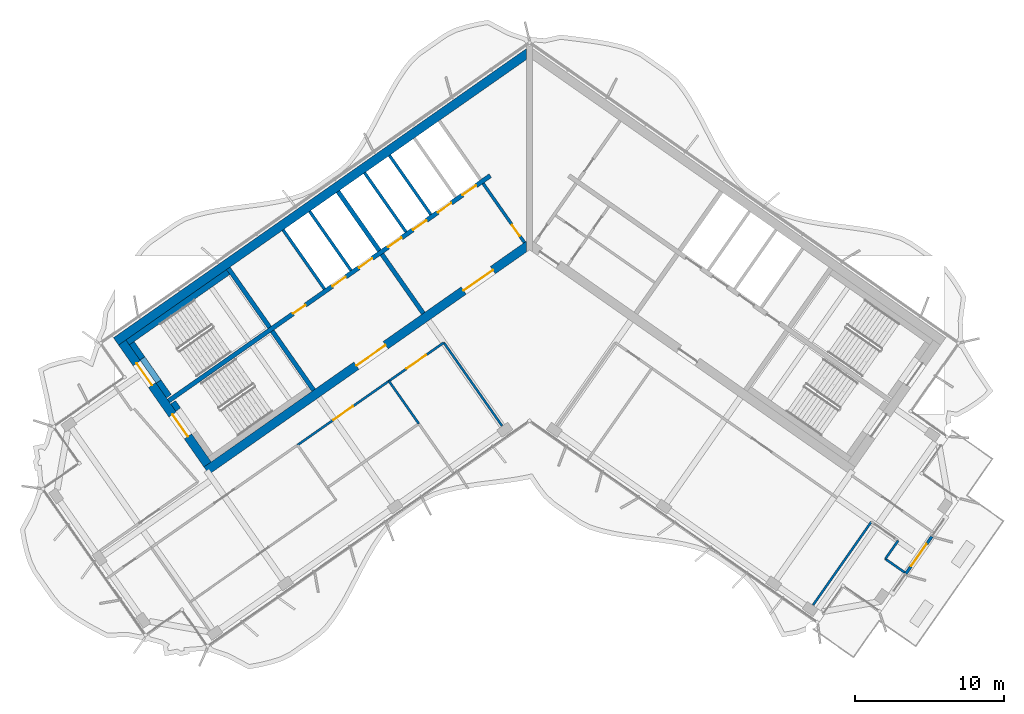
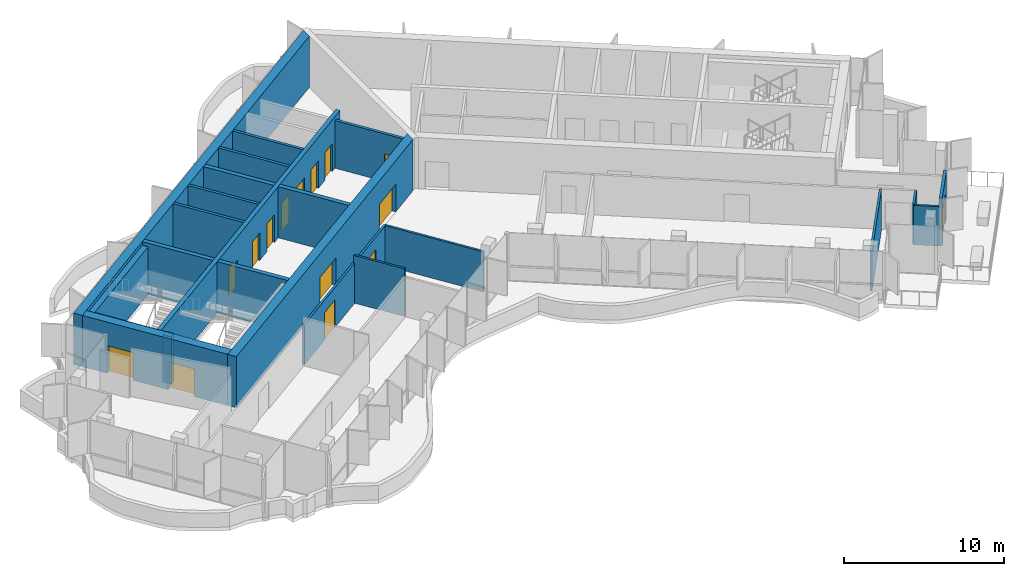
# One storey, part 9 of 18: 26 walls, 15 doors, 15 openings.
"""IFC4 building model written with IfcOpenShell, lengths in metres."""

from ifc_helpers import new_model, si_unit, direction, frame, frame_2d, origin, place, context, subcontext, project, spatial, polyline, rectangle, outline, extrude, material, layer, layer_set, type_object, element, fill, save


model = new_model("IFC4")

# Units and contexts
model_context = context("Model", 3, precision=1e-05, world=origin(), true_north=direction((0.0, 1.0)))
body_context = subcontext(model_context, "Body", "Model", "MODEL_VIEW")
ifc_project = project(units=[si_unit("LENGTHUNIT", "METRE"), si_unit("AREAUNIT", "SQUARE_METRE"), si_unit("VOLUMEUNIT", "CUBIC_METRE"), si_unit("PLANEANGLEUNIT", "RADIAN"), si_unit("MASSUNIT", "GRAM", prefix="KILO")], contexts=[model_context])

# Site, building, storey
site_placement = place(None, origin())
site = spatial("IfcSite", under=ifc_project, at=site_placement, CompositionType="ELEMENT")
building_placement = place(site_placement, origin())
building = spatial("IfcBuilding", under=site, at=building_placement, Name="Tel Ilan Convention Tower", CompositionType="ELEMENT")
storey_placement = place(building_placement, frame((0.0, 0.0, 272.199951171875)))
storey = spatial("IfcBuildingStorey", under=building, at=storey_placement, Name="L64", CompositionType="ELEMENT", Elevation=272.199951171875)

# Wall, opening, door
ifc_material_1 = material(Name="Concrete C30/37", Category="concrete")
ifc_layer_1 = layer(ifc_material_1, 0.199951171875)
ifc_layer_set_1 = layer_set([ifc_layer_1], Name="Core Service Room Wall 200 mm C30/37")
wall_type_1 = type_object("IfcWallType", Name="Core Service Room Wall 200 mm C30/37", PredefinedType="SOLIDWALL", material=ifc_layer_set_1)
wall_1_placement = place(storey_placement, frame((-0.343994140625, -0.729248046875, 0.0), z_axis=(0.0, 0.0, 1.0), x_axis=(-0.573560315113, 0.819163332265, 0.0)))
wall_1 = element("IfcWall", 1, at=wall_1_placement, inside=storey, type_object=wall_type_1, Name="L64 core wall apex-W", PredefinedType="SOLIDWALL", context=body_context, shape_type="SweptSolid", body=[
    extrude(rectangle(XDim=4.849853515625, YDim=0.199951171875, at=frame_2d((2.4248046875, 0.0))), origin(), (0.0, 0.0, 1.0), 3.6201171875),
])
opening_1_placement = place(wall_1_placement, frame((0.550048828125, 0.0, 0.0)))
opening_1 = element("IfcOpeningElement", 2, at=opening_1_placement, cuts=wall_1, Name="Opening CD4902", PredefinedType="OPENING", context=body_context, shape_type="SweptSolid", body=[
    extrude(rectangle(XDim=0.89990234375, YDim=2.10009765625, at=frame_2d((0.449951171875, 1.050048828125))), frame((0.0, 0.10986328125, 0.0), z_axis=(0.0, -1.0, 0.0), x_axis=(1.0, 0.0, 0.0)), (0.0, 0.0, 1.0), 0.219970703125),
])
ifc_material_2 = material(Name="Galvanised Steel Door Leaf", Category="steel")
door_type_1 = type_object("IfcDoorType", Name="Service Room Door 900 x 2100 FD60", OperationType="NOTDEFINED", PredefinedType="DOOR", material=ifc_material_2)
door_1_placement = place(opening_1_placement, origin())
door_1 = element("IfcDoor", 3, at=door_1_placement, inside=storey, type_object=door_type_1, Name="Electrical Room door", OperationType="SINGLE_SWING_RIGHT", OverallHeight=2.10009765625, OverallWidth=0.89990234375, PredefinedType="DOOR", context=body_context, shape_type="SweptSolid", body=[
    extrude(rectangle(XDim=0.89990234375, YDim=2.10009765625, at=frame_2d((0.449951171875, 1.050048828125))), frame((0.0, 0.02490234375, 0.0), z_axis=(0.0, -1.0, 0.0), x_axis=(1.0, 0.0, 0.0)), (0.0, 0.0, 1.0), 0.050048828125),
])
fill(opening_1, door_1)

# Walls
ifc_material_3 = material(Name="Concrete C40/50", Category="concrete")
ifc_layer_2 = layer(ifc_material_3, 0.300048828125)
ifc_layer_set_2 = layer_set([ifc_layer_2], Name="Core Shear Wall 300 mm C40/50")
wall_type_2 = type_object("IfcWallType", Name="Core Shear Wall 300 mm C40/50", PredefinedType="SHEAR", material=ifc_layer_set_2)
wall_2_placement = place(storey_placement, frame((-7.142822265625, -5.48974609375, 0.0), z_axis=(0.0, 0.0, 1.0), x_axis=(-0.573617744349, 0.819123118565, 0.0)))
element("IfcWall", 4, at=wall_2_placement, inside=storey, type_object=wall_type_2, Name="L64 core wall W-cross1-1", PredefinedType="SHEAR", context=body_context, shape_type="SweptSolid", body=[
    extrude(outline(polyline([(4.85009765625, 0.14990234375), (0.0, 0.150146484375), (0.0, -0.14990234375), (4.85009765625, -0.150146484375), (4.85009765625, 0.14990234375)])), origin(), (0.0, 0.0, 1.0), 3.900146484375),
])
wall_3_placement = place(storey_placement, frame((-10.096923828125, -1.271240234375, 0.0), z_axis=(0.0, 0.0, 1.0), x_axis=(-0.573560315113, 0.819163332265, 0.0)))
element("IfcWall", 5, at=wall_3_placement, inside=storey, type_object=wall_type_2, Name="L64 core wall W-cross1-2", PredefinedType="SHEAR", context=body_context, shape_type="SweptSolid", body=[
    extrude(outline(polyline([(4.849853515625, -0.14990234375), (4.849853515625, 0.150146484375), (0.0, 0.14990234375), (0.0, -0.150146484375), (4.849853515625, -0.14990234375)])), origin(), (0.0, 0.0, 1.0), 3.900146484375),
])
wall_4_placement = place(storey_placement, frame((-14.515380859375, -10.652099609375, 0.0), z_axis=(0.0, 0.0, 1.0), x_axis=(-0.573560315113, 0.819163332265, 0.0)))
element("IfcWall", 6, at=wall_4_placement, inside=storey, type_object=wall_type_2, Name="L64 core wall W-cross2-1", PredefinedType="SHEAR", context=body_context, shape_type="SweptSolid", body=[
    extrude(outline(polyline([(4.85009765625, 0.14990234375), (0.0, 0.14990234375), (0.0, -0.150146484375), (4.85009765625, -0.14990234375), (4.85009765625, 0.14990234375)])), origin(), (0.0, 0.0, 1.0), 3.900146484375),
])
wall_5_placement = place(storey_placement, frame((-17.46923828125, -6.433349609375, 0.0), z_axis=(0.0, 0.0, 1.0), x_axis=(-0.573594092424, 0.81913968109, 0.0)))
element("IfcWall", 7, at=wall_5_placement, inside=storey, type_object=wall_type_2, Name="L64 core wall W-cross2-2", PredefinedType="SHEAR", context=body_context, shape_type="SweptSolid", body=[
    extrude(outline(polyline([(4.849853515625, -0.150146484375), (4.849853515625, 0.14990234375), (0.0, 0.14990234375), (0.0, -0.14990234375), (4.849853515625, -0.150146484375)])), origin(), (0.0, 0.0, 1.0), 3.900146484375),
])

# Wall, openings, doors
wall_6_placement = place(storey_placement, frame((-2.638427734375, 3.76806640625, 0.0), z_axis=(0.0, 0.0, 1.0), x_axis=(-0.819155014212, -0.573572194837, 0.0)))
wall_6 = element("IfcWall", 8, at=wall_6_placement, inside=storey, type_object=wall_type_2, Name="L64 core wall W-spine", PredefinedType="SHEAR", context=body_context, shape_type="SweptSolid", body=[
    extrude(outline(polyline([(26.39990234375, 0.150146484375), (0.0, 0.14990234375), (0.0, -0.150146484375), (26.39990234375, -0.14990234375), (26.39990234375, 0.150146484375)])), origin(), (0.0, 0.0, 1.0), 3.900146484375),
])
opening_2_placement = place(wall_6_placement, frame((1.168701171875, 0.0, 0.0)))
opening_2 = element("IfcOpeningElement", 9, at=opening_2_placement, cuts=wall_6, Name="Opening LD4904", PredefinedType="OPENING", context=body_context, shape_type="SweptSolid", body=[
    extrude(rectangle(XDim=1.10009765625, YDim=2.10009765625, at=frame_2d((0.550048828125, 1.050048828125))), frame((0.0, 0.159912109375, 0.0), z_axis=(0.0, -1.0, 0.0), x_axis=(1.0, 0.0, 0.0)), (0.0, 0.0, 1.0), 0.320068359375),
])
opening_3_placement = place(wall_6_placement, frame((3.206298828125, 0.0, 0.0)))
opening_3 = element("IfcOpeningElement", 10, at=opening_3_placement, cuts=wall_6, Name="Opening LD4905", PredefinedType="OPENING", context=body_context, shape_type="SweptSolid", body=[
    extrude(rectangle(XDim=1.10009765625, YDim=2.10009765625, at=frame_2d((0.550048828125, 1.050048828125))), frame((0.0, 0.159912109375, 0.0), z_axis=(0.0, -1.0, 0.0), x_axis=(1.0, 0.0, 0.0)), (0.0, 0.0, 1.0), 0.320068359375),
])
opening_4_placement = place(wall_6_placement, frame((5.24365234375, 0.0, 0.0)))
opening_4 = element("IfcOpeningElement", 11, at=opening_4_placement, cuts=wall_6, Name="Opening LD4906", PredefinedType="OPENING", context=body_context, shape_type="SweptSolid", body=[
    extrude(rectangle(XDim=1.10009765625, YDim=2.10009765625, at=frame_2d((0.550048828125, 1.050048828125))), frame((0.0, 0.159912109375, 0.0), z_axis=(0.0, -1.0, 0.0), x_axis=(1.0, 0.0, 0.0)), (0.0, 0.0, 1.0), 0.320068359375),
])
opening_5_placement = place(wall_6_placement, frame((7.28125, 0.0, 0.0)))
opening_5 = element("IfcOpeningElement", 12, at=opening_5_placement, cuts=wall_6, Name="Opening LD4907", PredefinedType="OPENING", context=body_context, shape_type="SweptSolid", body=[
    extrude(rectangle(XDim=1.10009765625, YDim=2.10009765625, at=frame_2d((0.550048828125, 1.050048828125))), frame((0.0, 0.159912109375, 0.0), z_axis=(0.0, -1.0, 0.0), x_axis=(1.0, 0.0, 0.0)), (0.0, 0.0, 1.0), 0.320068359375),
])
opening_6_placement = place(wall_6_placement, frame((9.6875, 0.0, 0.0)))
opening_6 = element("IfcOpeningElement", 13, at=opening_6_placement, cuts=wall_6, Name="Opening LD4908", PredefinedType="OPENING", context=body_context, shape_type="SweptSolid", body=[
    extrude(rectangle(XDim=1.10009765625, YDim=2.10009765625, at=frame_2d((0.550048828125, 1.050048828125))), frame((0.0, 0.159912109375, 0.0), z_axis=(0.0, -1.0, 0.0), x_axis=(1.0, 0.0, 0.0)), (0.0, 0.0, 1.0), 0.320068359375),
])
opening_7_placement = place(wall_6_placement, frame((11.862548828125, 0.0, 0.0)))
opening_7 = element("IfcOpeningElement", 14, at=opening_7_placement, cuts=wall_6, Name="Opening LD4909", PredefinedType="OPENING", context=body_context, shape_type="SweptSolid", body=[
    extrude(rectangle(XDim=1.10009765625, YDim=2.10009765625, at=frame_2d((0.550048828125, 1.050048828125))), frame((0.0, 0.159912109375, 0.0), z_axis=(0.0, -1.0, 0.0), x_axis=(1.0, 0.0, 0.0)), (0.0, 0.0, 1.0), 0.320068359375),
])
opening_8_placement = place(wall_6_placement, frame((15.175048828125, 0.0, 0.0)))
opening_8 = element("IfcOpeningElement", 15, at=opening_8_placement, cuts=wall_6, Name="Opening CD4909", PredefinedType="OPENING", context=body_context, shape_type="SweptSolid", body=[
    extrude(rectangle(XDim=1.0, YDim=2.10009765625, at=frame_2d((0.5, 1.050048828125))), frame((0.0, 0.159912109375, 0.0), z_axis=(0.0, -1.0, 0.0), x_axis=(1.0, 0.0, 0.0)), (0.0, 0.0, 1.0), 0.320068359375),
])
ifc_material_4 = material(Name="Stainless Steel Sliding Door Leaf", Category="steel")
door_type_2 = type_object("IfcDoorType", Name="Lift Landing Door 1100 x 2100 FD120", OperationType="NOTDEFINED", PredefinedType="DOOR", material=ifc_material_4)
door_2_placement = place(opening_2_placement, origin())
door_2 = element("IfcDoor", 16, at=door_2_placement, inside=storey, type_object=door_type_2, Name="Lift HR1 landing door", OperationType="SLIDING_TO_LEFT", OverallHeight=2.10009765625, OverallWidth=1.10009765625, PredefinedType="DOOR", context=body_context, shape_type="SweptSolid", body=[
    extrude(rectangle(XDim=1.10009765625, YDim=2.10009765625, at=frame_2d((0.550048828125, 1.050048828125))), frame((0.0, 0.02490234375, 0.0), z_axis=(0.0, -1.0, 0.0), x_axis=(1.0, 0.0, 0.0)), (0.0, 0.0, 1.0), 0.050048828125),
])
fill(opening_2, door_2)
door_3_placement = place(opening_3_placement, origin())
door_3 = element("IfcDoor", 17, at=door_3_placement, inside=storey, type_object=door_type_2, Name="Lift HR2 landing door", OperationType="SLIDING_TO_RIGHT", OverallHeight=2.10009765625, OverallWidth=1.10009765625, PredefinedType="DOOR", context=body_context, shape_type="SweptSolid", body=[
    extrude(rectangle(XDim=1.10009765625, YDim=2.10009765625, at=frame_2d((0.550048828125, 1.050048828125))), frame((0.0, 0.02490234375, 0.0), z_axis=(0.0, -1.0, 0.0), x_axis=(1.0, 0.0, 0.0)), (0.0, 0.0, 1.0), 0.050048828125),
])
fill(opening_3, door_3)
door_4_placement = place(opening_4_placement, origin())
door_4 = element("IfcDoor", 18, at=door_4_placement, inside=storey, type_object=door_type_2, Name="Lift HR3 landing door", OperationType="SLIDING_TO_LEFT", OverallHeight=2.10009765625, OverallWidth=1.10009765625, PredefinedType="DOOR", context=body_context, shape_type="SweptSolid", body=[
    extrude(rectangle(XDim=1.10009765625, YDim=2.10009765625, at=frame_2d((0.550048828125, 1.050048828125))), frame((0.0, 0.02490234375, 0.0), z_axis=(0.0, -1.0, 0.0), x_axis=(1.0, 0.0, 0.0)), (0.0, 0.0, 1.0), 0.050048828125),
])
fill(opening_4, door_4)
door_5_placement = place(opening_5_placement, origin())
door_5 = element("IfcDoor", 19, at=door_5_placement, inside=storey, type_object=door_type_2, Name="Lift HR4 landing door", OperationType="SLIDING_TO_RIGHT", OverallHeight=2.10009765625, OverallWidth=1.10009765625, PredefinedType="DOOR", context=body_context, shape_type="SweptSolid", body=[
    extrude(rectangle(XDim=1.10009765625, YDim=2.10009765625, at=frame_2d((0.550048828125, 1.050048828125))), frame((0.0, 0.02490234375, 0.0), z_axis=(0.0, -1.0, 0.0), x_axis=(1.0, 0.0, 0.0)), (0.0, 0.0, 1.0), 0.050048828125),
])
fill(opening_5, door_5)
door_6_placement = place(opening_6_placement, origin())
door_6 = element("IfcDoor", 20, at=door_6_placement, inside=storey, type_object=door_type_2, Name="Lift HR5 landing door", OperationType="SLIDING_TO_LEFT", OverallHeight=2.10009765625, OverallWidth=1.10009765625, PredefinedType="DOOR", context=body_context, shape_type="SweptSolid", body=[
    extrude(rectangle(XDim=1.10009765625, YDim=2.10009765625, at=frame_2d((0.550048828125, 1.050048828125))), frame((0.0, 0.02490234375, 0.0), z_axis=(0.0, -1.0, 0.0), x_axis=(1.0, 0.0, 0.0)), (0.0, 0.0, 1.0), 0.050048828125),
])
fill(opening_6, door_6)
door_7_placement = place(opening_7_placement, origin())
door_7 = element("IfcDoor", 21, at=door_7_placement, inside=storey, type_object=door_type_2, Name="Lift HR6 landing door", OperationType="SLIDING_TO_RIGHT", OverallHeight=2.10009765625, OverallWidth=1.10009765625, PredefinedType="DOOR", context=body_context, shape_type="SweptSolid", body=[
    extrude(rectangle(XDim=1.10009765625, YDim=2.10009765625, at=frame_2d((0.550048828125, 1.050048828125))), frame((0.0, 0.02490234375, 0.0), z_axis=(0.0, -1.0, 0.0), x_axis=(1.0, 0.0, 0.0)), (0.0, 0.0, 1.0), 0.050048828125),
])
fill(opening_7, door_7)
ifc_material_5 = material(Name="Galvanised Steel Door Leaf", Category="steel")
door_type_3 = type_object("IfcDoorType", Name="Service Room Door 1000 x 2100 FD60", OperationType="NOTDEFINED", PredefinedType="DOOR", material=ifc_material_5)
door_8_placement = place(opening_8_placement, origin())
door_8 = element("IfcDoor", 22, at=door_8_placement, inside=storey, type_object=door_type_3, Name="Plant Room door", OperationType="SINGLE_SWING_RIGHT", OverallHeight=2.10009765625, OverallWidth=1.0, PredefinedType="DOOR", context=body_context, shape_type="SweptSolid", body=[
    extrude(rectangle(XDim=1.0, YDim=2.10009765625, at=frame_2d((0.5, 1.050048828125))), frame((0.0, 0.02490234375, 0.0), z_axis=(0.0, -1.0, 0.0), x_axis=(1.0, 0.0, 0.0)), (0.0, 0.0, 1.0), 0.050048828125),
])
fill(opening_8, door_8)

# Wall
ifc_material_6 = material(Name="Concrete C40/50", Category="concrete")
ifc_layer_3 = layer(ifc_material_6, 0.60009765625)
ifc_layer_set_3 = layer_set([ifc_layer_3], Name="Core Shear Wall 600 mm C40/50")
wall_type_3 = type_object("IfcWallType", Name="Core Shear Wall 600 mm C40/50", PredefinedType="SHEAR", material=ifc_layer_set_3)
wall_7_placement = place(storey_placement, frame((-0.02783203125, 12.066162109375, 0.0), z_axis=(0.0, 0.0, 1.0), x_axis=(-0.819151382952, -0.573577380837, 0.0)))
element("IfcWall", 23, at=wall_7_placement, inside=storey, type_object=wall_type_3, Name="L64 core wall W-back", PredefinedType="SHEAR", context=body_context, shape_type="SweptSolid", body=[
    extrude(outline(polyline([(33.89794921875, 0.300048828125), (0.420166015625, 0.300048828125), (0.0, -0.300048828125), (33.898193359375, -0.300048828125), (33.89794921875, 0.300048828125)])), origin(), (0.0, 0.0, 1.0), 3.900146484375),
])

# Wall, openings, doors
wall_8_placement = place(storey_placement, frame((-0.02783203125, -0.8740234375, 0.0), z_axis=(0.0, 0.0, 1.0), x_axis=(-0.819150035022, -0.573579305871, 0.0)))
wall_8 = element("IfcWall", 24, at=wall_8_placement, inside=storey, type_object=wall_type_3, Name="L64 core wall W-front", PredefinedType="SHEAR", context=body_context, shape_type="SweptSolid", body=[
    extrude(outline(polyline([(26.475830078125, 0.2998046875), (0.420166015625, 0.300048828125), (0.000244140625, -0.300048828125), (26.475830078125, -0.300048828125), (26.475830078125, 0.2998046875)])), origin(), (0.0, 0.0, 1.0), 3.900146484375),
])
opening_9_placement = place(wall_8_placement, frame((2.975830078125, 0.0, 0.0)))
opening_9 = element("IfcOpeningElement", 25, at=opening_9_placement, cuts=wall_8, Name="Opening CD4906", PredefinedType="OPENING", context=body_context, shape_type="SweptSolid", body=[
    extrude(rectangle(XDim=2.39990234375, YDim=2.10009765625, at=frame_2d((1.199951171875, 1.050048828125))), frame((0.0, 0.31005859375, 0.0), z_axis=(0.0, -1.0, 0.0), x_axis=(1.0, 0.0, 0.0)), (0.0, 0.0, 1.0), 0.6201171875),
])
opening_10_placement = place(wall_8_placement, frame((11.77587890625, 0.0, 0.0)))
opening_10 = element("IfcOpeningElement", 26, at=opening_10_placement, cuts=wall_8, Name="Opening CD4907", PredefinedType="OPENING", context=body_context, shape_type="SweptSolid", body=[
    extrude(rectangle(XDim=2.39990234375, YDim=2.10009765625, at=frame_2d((1.199951171875, 1.050048828125))), frame((0.0, 0.31005859375, 0.0), z_axis=(0.0, -1.0, 0.0), x_axis=(1.0, 0.0, 0.0)), (0.0, 0.0, 1.0), 0.6201171875),
])
ifc_material_7 = material(Name="Glazed Aluminium Door Leaf", Category="aluminium")
door_type_4 = type_object("IfcDoorType", Name="Lobby Opening Door 2400 x 2100 FD60S", OperationType="NOTDEFINED", PredefinedType="DOOR", material=ifc_material_7)
door_9_placement = place(opening_9_placement, origin())
door_9 = element("IfcDoor", 27, at=door_9_placement, inside=storey, type_object=door_type_4, Name="Lift Lobby HR1-HR4 opening", OperationType="DOUBLE_DOOR_SINGLE_SWING", OverallHeight=2.10009765625, OverallWidth=2.39990234375, PredefinedType="DOOR", context=body_context, shape_type="SweptSolid", body=[
    extrude(rectangle(XDim=2.39990234375, YDim=2.10009765625, at=frame_2d((1.199951171875, 1.050048828125))), frame((0.0, 0.02490234375, 0.0), z_axis=(0.0, -1.0, 0.0), x_axis=(1.0, 0.0, 0.0)), (0.0, 0.0, 1.0), 0.050048828125),
])
fill(opening_9, door_9)
door_10_placement = place(opening_10_placement, origin())
door_10 = element("IfcDoor", 28, at=door_10_placement, inside=storey, type_object=door_type_4, Name="Lift Lobby HR5-HR6 opening", OperationType="DOUBLE_DOOR_SINGLE_SWING", OverallHeight=2.10009765625, OverallWidth=2.39990234375, PredefinedType="DOOR", context=body_context, shape_type="SweptSolid", body=[
    extrude(rectangle(XDim=2.39990234375, YDim=2.10009765625, at=frame_2d((1.199951171875, 1.050048828125))), frame((0.0, 0.02490234375, 0.0), z_axis=(0.0, -1.0, 0.0), x_axis=(1.0, 0.0, 0.0)), (0.0, 0.0, 1.0), 0.050048828125),
])
fill(opening_10, door_10)

wall_9_placement = place(storey_placement, frame((-21.641845703125, -15.64208984375, 0.0), z_axis=(0.0, 0.0, 1.0), x_axis=(-0.573586866468, 0.819144740944, 0.0)))
wall_9 = element("IfcWall", 29, at=wall_9_placement, inside=storey, type_object=wall_type_3, Name="L64 core wall W-end", PredefinedType="SHEAR", context=body_context, shape_type="SweptSolid", body=[
    extrude(outline(polyline([(0.0, 0.300048828125), (0.0, -0.2998046875), (10.0, -0.300048828125), (10.0, 0.300048828125), (0.0, 0.300048828125)])), origin(), (0.0, 0.0, 1.0), 3.900146484375),
])
opening_11_placement = place(wall_9_placement, frame((6.5, 0.0, 0.0)))
opening_11 = element("IfcOpeningElement", 30, at=opening_11_placement, cuts=wall_9, Name="Opening SD4901", PredefinedType="OPENING", context=body_context, shape_type="SweptSolid", body=[
    extrude(rectangle(XDim=1.800048828125, YDim=2.10009765625, at=frame_2d((0.89990234375, 1.050048828125))), frame((0.0, 0.31005859375, 0.0), z_axis=(0.0, -1.0, 0.0), x_axis=(1.0, 0.0, 0.0)), (0.0, 0.0, 1.0), 0.6201171875),
])
opening_12_placement = place(wall_9_placement, frame((2.300048828125, 0.0, 0.0)))
opening_12 = element("IfcOpeningElement", 31, at=opening_12_placement, cuts=wall_9, Name="Opening SD4902", PredefinedType="OPENING", context=body_context, shape_type="SweptSolid", body=[
    extrude(rectangle(XDim=1.800048828125, YDim=2.10009765625, at=frame_2d((0.89990234375, 1.050048828125))), frame((0.0, 0.31005859375, 0.0), z_axis=(0.0, -1.0, 0.0), x_axis=(1.0, 0.0, 0.0)), (0.0, 0.0, 1.0), 0.6201171875),
])
ifc_material_8 = material(Name="Galvanised Steel Door Leaf", Category="steel")
door_type_5 = type_object("IfcDoorType", Name="Stair Fire Door 1800 x 2100 FD60S", OperationType="NOTDEFINED", PredefinedType="DOOR", material=ifc_material_8)
door_11_placement = place(opening_11_placement, origin())
door_11 = element("IfcDoor", 32, at=door_11_placement, inside=storey, type_object=door_type_5, Name="Stair S1 door", OperationType="DOUBLE_DOOR_SINGLE_SWING", OverallHeight=2.10009765625, OverallWidth=1.800048828125, PredefinedType="DOOR", context=body_context, shape_type="SweptSolid", body=[
    extrude(rectangle(XDim=1.800048828125, YDim=2.10009765625, at=frame_2d((0.89990234375, 1.050048828125))), frame((0.0, 0.02490234375, 0.0), z_axis=(0.0, -1.0, 0.0), x_axis=(1.0, 0.0, 0.0)), (0.0, 0.0, 1.0), 0.050048828125),
])
fill(opening_11, door_11)
door_12_placement = place(opening_12_placement, origin())
door_12 = element("IfcDoor", 33, at=door_12_placement, inside=storey, type_object=door_type_5, Name="Stair S2 door", OperationType="DOUBLE_DOOR_SINGLE_SWING", OverallHeight=2.10009765625, OverallWidth=1.800048828125, PredefinedType="DOOR", context=body_context, shape_type="SweptSolid", body=[
    extrude(rectangle(XDim=1.800048828125, YDim=2.10009765625, at=frame_2d((0.89990234375, 1.050048828125))), frame((0.0, 0.02490234375, 0.0), z_axis=(0.0, -1.0, 0.0), x_axis=(1.0, 0.0, 0.0)), (0.0, 0.0, 1.0), 0.050048828125),
])
fill(opening_12, door_12)

# Walls
ifc_material_9 = material(Name="Plasterboard on Steel Studs", Category="steel")
ifc_layer_4 = layer(ifc_material_9, 0.14990234375)
ifc_layer_set_4 = layer_set([ifc_layer_4], Name="Fire-rated Partition 150 EI 60")
wall_type_4 = type_object("IfcWallType", Name="Fire-rated Partition 150 EI 60", PredefinedType="PARTITIONING", material=ifc_layer_set_4)
wall_10_placement = place(storey_placement, frame((25.220947265625, -22.9091796875, 0.0), z_axis=(0.0, 0.0, 1.0), x_axis=(-0.819131543282, 0.57360571371, 0.0)))
element("IfcWall", 34, at=wall_10_placement, inside=storey, type_object=wall_type_4, Name="Partition 004", PredefinedType="PARTITIONING", context=body_context, shape_type="SweptSolid", body=[
    extrude(rectangle(XDim=1.599853515625, YDim=0.14990234375, at=frame_2d((0.7998046875, 0.0))), origin(), (0.0, 0.0, 1.0), 3.0),
])
wall_11_placement = place(storey_placement, frame((23.910400390625, -21.991455078125, 0.0), z_axis=(0.0, 0.0, 1.0), x_axis=(0.573560650686, 0.819163097304, 0.0)))
element("IfcWall", 35, at=wall_11_placement, inside=storey, type_object=wall_type_4, Name="Partition 005", PredefinedType="PARTITIONING", context=body_context, shape_type="SweptSolid", body=[
    extrude(rectangle(XDim=1.5, YDim=0.14990234375, at=frame_2d((0.75, 0.0))), origin(), (0.0, 0.0, 1.0), 3.050048828125),
])

# Wall, opening, door
wall_12_placement = place(storey_placement, frame((-5.766357421875, -7.455810546875, 0.0), z_axis=(0.0, 0.0, 1.0), x_axis=(-0.819142740634, -0.573589723117, 0.0)))
wall_12 = element("IfcWall", 36, at=wall_12_placement, inside=storey, type_object=wall_type_4, Name="Partition 008", PredefinedType="PARTITIONING", context=body_context, shape_type="SweptSolid", body=[
    extrude(rectangle(XDim=4.501953125, YDim=0.14990234375, at=frame_2d((2.2509765625, 0.0))), origin(), (0.0, 0.0, 1.0), 3.050048828125),
])
opening_13_placement = place(wall_12_placement, frame((1.450927734375, 0.0, 0.0)))
opening_13 = element("IfcOpeningElement", 37, at=opening_13_placement, cuts=wall_12, Name="Opening L64-001", PredefinedType="OPENING", context=body_context, shape_type="SweptSolid", body=[
    extrude(rectangle(XDim=1.60009765625, YDim=2.10009765625, at=frame_2d((0.800048828125, 1.050048828125))), frame((0.0, 0.0849609375, 0.0), z_axis=(0.0, -1.0, 0.0), x_axis=(1.0, 0.0, 0.0)), (0.0, 0.0, 1.0), 0.169921875),
])
ifc_material_10 = material(Name="Timber Door Leaf in Steel Frame", Category="steel")
door_type_6 = type_object("IfcDoorType", Name="Tenant Suite Entrance Fire Door 1600x2100", OperationType="NOTDEFINED", PredefinedType="DOOR", material=ifc_material_10)
door_13_placement = place(opening_13_placement, origin())
door_13 = element("IfcDoor", 38, at=door_13_placement, inside=storey, type_object=door_type_6, Name="Door L64-001", OperationType="DOUBLE_DOOR_SINGLE_SWING", OverallHeight=2.10009765625, OverallWidth=1.60009765625, PredefinedType="DOOR", context=body_context, shape_type="SweptSolid", body=[
    extrude(rectangle(XDim=1.60009765625, YDim=2.10009765625, at=frame_2d((0.800048828125, 1.050048828125))), frame((0.0, 0.02490234375, 0.0), z_axis=(0.0, -1.0, 0.0), x_axis=(1.0, 0.0, 0.0)), (0.0, 0.0, 1.0), 0.050048828125),
])
fill(opening_13, door_13)

wall_13_placement = place(storey_placement, frame((-9.450927734375, -10.035888671875, 0.0), z_axis=(0.0, 0.0, 1.0), x_axis=(-0.819164661457, -0.573558416746, 0.0)))
wall_13 = element("IfcWall", 39, at=wall_13_placement, inside=storey, type_object=wall_type_4, Name="Partition 009", PredefinedType="PARTITIONING", context=body_context, shape_type="SweptSolid", body=[
    extrude(rectangle(XDim=7.50390625, YDim=0.14990234375, at=frame_2d((3.751953125, 0.0))), origin(), (0.0, 0.0, 1.0), 3.050048828125),
])
opening_14_placement = place(wall_13_placement, frame((2.951904296875, 0.0, 0.0)))
opening_14 = element("IfcOpeningElement", 40, at=opening_14_placement, cuts=wall_13, Name="Opening L64-002", PredefinedType="OPENING", context=body_context, shape_type="SweptSolid", body=[
    extrude(rectangle(XDim=1.60009765625, YDim=2.10009765625, at=frame_2d((0.800048828125, 1.050048828125))), frame((0.0, 0.0849609375, 0.0), z_axis=(0.0, -1.0, 0.0), x_axis=(1.0, 0.0, 0.0)), (0.0, 0.0, 1.0), 0.169921875),
])
door_14_placement = place(opening_14_placement, origin())
door_14 = element("IfcDoor", 41, at=door_14_placement, inside=storey, type_object=door_type_6, Name="Door L64-002", OperationType="DOUBLE_DOOR_SINGLE_SWING", OverallHeight=2.10009765625, OverallWidth=1.60009765625, PredefinedType="DOOR", context=body_context, shape_type="SweptSolid", body=[
    extrude(rectangle(XDim=1.60009765625, YDim=2.10009765625, at=frame_2d((0.800048828125, 1.050048828125))), frame((0.0, 0.02490234375, 0.0), z_axis=(0.0, -1.0, 0.0), x_axis=(1.0, 0.0, 0.0)), (0.0, 0.0, 1.0), 0.050048828125),
])
fill(opening_14, door_14)

# Walls
wall_14_placement = place(storey_placement, frame((22.968505859375, -19.5009765625, 0.0), z_axis=(0.0, 0.0, 1.0), x_axis=(-0.573577493031, -0.819151304393, 0.0)))
element("IfcWall", 42, at=wall_14_placement, inside=storey, type_object=wall_type_4, Name="Partition 014", PredefinedType="PARTITIONING", context=body_context, shape_type="SweptSolid", body=[
    extrude(rectangle(XDim=6.829833984375, YDim=0.14990234375, at=frame_2d((3.4150390625, 0.0))), origin(), (0.0, 0.0, 1.0), 3.050048828125),
])
wall_15_placement = place(storey_placement, frame((-1.848876953125, -13.050537109375, 0.0), z_axis=(0.0, 0.0, 1.0), x_axis=(-0.57357985571, 0.819149650018, 0.0)))
element("IfcWall", 43, at=wall_15_placement, inside=storey, type_object=wall_type_4, Name="Partition 015", PredefinedType="PARTITIONING", context=body_context, shape_type="SweptSolid", body=[
    extrude(rectangle(XDim=6.83203125, YDim=0.14990234375, at=frame_2d((3.416015625, 0.0))), origin(), (0.0, 0.0, 1.0), 3.050048828125),
])
wall_16_placement = place(storey_placement, frame((-7.44384765625, -12.905517578125, 0.0), z_axis=(0.0, 0.0, 1.0), x_axis=(-0.573555919535, 0.819166409935, 0.0)))
element("IfcWall", 44, at=wall_16_placement, inside=storey, type_object=wall_type_4, Name="Partition 018", PredefinedType="PARTITIONING", context=body_context, shape_type="SweptSolid", body=[
    extrude(rectangle(XDim=3.501953125, YDim=0.14990234375, at=frame_2d((1.7509765625, 0.0))), origin(), (0.0, 0.0, 1.0), 3.6201171875),
])
ifc_material_11 = material(Name="Concrete C30/37", Category="concrete")
ifc_layer_5 = layer(ifc_material_11, 0.199951171875)
ifc_layer_set_5 = layer_set([ifc_layer_5], Name="Lift Shaft Wall 200 mm C30/37")
wall_type_5 = type_object("IfcWallType", Name="Lift Shaft Wall 200 mm C30/37", PredefinedType="SOLIDWALL", material=ifc_layer_set_5)
wall_17_placement = place(storey_placement, frame((-6.635986328125, 1.152099609375, 0.0), z_axis=(0.0, 0.0, 1.0), x_axis=(-0.573560315113, 0.819163332265, 0.0)))
element("IfcWall", 45, at=wall_17_placement, inside=storey, type_object=wall_type_5, Name="L64 core wall bank-W1-p1", PredefinedType="SOLIDWALL", context=body_context, shape_type="SweptSolid", body=[
    extrude(rectangle(XDim=4.849853515625, YDim=0.199951171875, at=frame_2d((2.4248046875, 0.0))), origin(), (0.0, 0.0, 1.0), 3.900146484375),
])
wall_18_placement = place(storey_placement, frame((-8.304931640625, -0.0166015625, 0.0), z_axis=(0.0, 0.0, 1.0), x_axis=(-0.573594092424, 0.81913968109, 0.0)))
element("IfcWall", 46, at=wall_18_placement, inside=storey, type_object=wall_type_5, Name="L64 core wall bank-W1-p2", PredefinedType="SOLIDWALL", context=body_context, shape_type="SweptSolid", body=[
    extrude(rectangle(XDim=4.85009765625, YDim=0.199951171875, at=frame_2d((2.425048828125, 0.0))), origin(), (0.0, 0.0, 1.0), 3.900146484375),
])
wall_19_placement = place(storey_placement, frame((-12.00146484375, -2.604736328125, 0.0), z_axis=(0.0, 0.0, 1.0), x_axis=(-0.573560315113, 0.819163332265, 0.0)))
element("IfcWall", 47, at=wall_19_placement, inside=storey, type_object=wall_type_5, Name="L64 core wall bank-W2-p0", PredefinedType="SOLIDWALL", context=body_context, shape_type="SweptSolid", body=[
    extrude(rectangle(XDim=4.849853515625, YDim=0.199951171875, at=frame_2d((2.4248046875, 0.0))), origin(), (0.0, 0.0, 1.0), 3.900146484375),
])
wall_20_placement = place(storey_placement, frame((-13.782958984375, -3.852294921875, 0.0), z_axis=(0.0, 0.0, 1.0), x_axis=(-0.573594092424, 0.81913968109, 0.0)))
element("IfcWall", 48, at=wall_20_placement, inside=storey, type_object=wall_type_5, Name="L64 core wall bank-W2-p1", PredefinedType="SOLIDWALL", context=body_context, shape_type="SweptSolid", body=[
    extrude(rectangle(XDim=4.85009765625, YDim=0.199951171875, at=frame_2d((2.425048828125, 0.0))), origin(), (0.0, 0.0, 1.0), 3.900146484375),
])
ifc_material_12 = material(Name="Concrete C30/37", Category="concrete")
ifc_layer_6 = layer(ifc_material_12, 0.39990234375)
ifc_layer_set_6 = layer_set([ifc_layer_6], Name="Stair and Shaft Lining Wall 400 mm C30/37")
wall_type_6 = type_object("IfcWallType", Name="Stair and Shaft Lining Wall 400 mm C30/37", PredefinedType="SOLIDWALL", material=ifc_layer_set_6)
wall_21_placement = place(storey_placement, frame((-20.25927734375, -2.71044921875, 0.0), z_axis=(0.0, 0.0, 1.0), x_axis=(-0.81914849389, -0.573581506813, 0.0)))
element("IfcWall", 49, at=wall_21_placement, inside=storey, type_object=wall_type_6, Name="L64 core wall lining-S1-t1", PredefinedType="SOLIDWALL", context=body_context, shape_type="SweptSolid", body=[
    extrude(rectangle(XDim=8.249755859375, YDim=0.39990234375, at=frame_2d((4.125, 0.0))), origin(), (0.0, 0.0, 1.0), 3.6201171875),
])
wall_22_placement = place(storey_placement, frame((-24.24365234375, -11.0546875, 0.0), z_axis=(0.0, 0.0, 1.0), x_axis=(-0.573571582932, 0.819155442668, 0.0)))
element("IfcWall", 50, at=wall_22_placement, inside=storey, type_object=wall_type_6, Name="L64 core wall lining-S1-u1-0", PredefinedType="SOLIDWALL", context=body_context, shape_type="SweptSolid", body=[
    extrude(rectangle(XDim=1.199951171875, YDim=0.39990234375, at=frame_2d((0.60009765625, 0.0))), origin(), (0.0, 0.0, 1.0), 3.6201171875),
])
wall_23_placement = place(storey_placement, frame((-26.021728515625, -8.515380859375, 0.0), z_axis=(0.0, 0.0, 1.0), x_axis=(-0.573619628835, 0.819121798889, 0.0)))
element("IfcWall", 51, at=wall_23_placement, inside=storey, type_object=wall_type_6, Name="L64 core wall lining-S1-u1-1", PredefinedType="SOLIDWALL", context=body_context, shape_type="SweptSolid", body=[
    extrude(rectangle(XDim=1.25, YDim=0.39990234375, at=frame_2d((0.625, 0.0))), origin(), (0.0, 0.0, 1.0), 3.6201171875),
])
wall_24_placement = place(storey_placement, frame((-24.931884765625, -10.07177734375, 2.150146484375), z_axis=(0.0, 0.0, 1.0), x_axis=(-0.573591692345, 0.819141361715, 0.0)))
element("IfcWall", 52, at=wall_24_placement, inside=storey, type_object=wall_type_6, Name="L64 core wall lining-S1-u1-lintel", PredefinedType="SOLIDWALL", context=body_context, shape_type="SweptSolid", body=[
    extrude(rectangle(XDim=1.900146484375, YDim=0.39990234375, at=frame_2d((0.9501953125, 0.0))), origin(), (0.0, 0.0, 1.0), 1.469970703125),
])
wall_25_placement = place(storey_placement, frame((-23.61279296875, -11.955810546875, 0.0), z_axis=(0.0, 0.0, 1.0), x_axis=(-0.573435029941, 0.819251039936, 0.0)))
element("IfcWall", 53, at=wall_25_placement, inside=storey, type_object=wall_type_6, Name="L64 core wall lining-S2-u1-1", PredefinedType="SOLIDWALL", context=body_context, shape_type="SweptSolid", body=[
    extrude(rectangle(XDim=0.599853515625, YDim=0.39990234375, at=frame_2d((0.2998046875, 0.0))), origin(), (0.0, 0.0, 1.0), 3.6201171875),
])

# Wall, opening, door
ifc_material_13 = material(Name="Aluminium composite cladding, bronze anodised on steel studs", Category="steel")
ifc_layer_7 = layer(ifc_material_13, 0.199951171875)
ifc_layer_set_7 = layer_set([ifc_layer_7], Name="TERRACE DOOR BAY WALL 200")
wall_type_7 = type_object("IfcWallType", Name="TERRACE DOOR BAY WALL 200", PredefinedType="SOLIDWALL", material=ifc_layer_set_7)
wall_26_placement = place(storey_placement, frame((25.28173828125, -22.99658203125, 0.0), z_axis=(0.0, 0.0, 1.0), x_axis=(0.573600947761, 0.819134880669, 0.0)))
wall_26 = element("IfcWall", 54, at=wall_26_placement, inside=storey, type_object=wall_type_7, Name="Terrace door bay", PredefinedType="SOLIDWALL", context=body_context, shape_type="SweptSolid", body=[
    extrude(rectangle(XDim=3.073486328125, YDim=0.199951171875, at=frame_2d((1.53662109375, 0.0))), origin(), (0.0, 0.0, 1.0), 3.6201171875),
])
opening_15_placement = place(wall_26_placement, frame((0.63671875, 0.0, 0.0)))
opening_15 = element("IfcOpeningElement", 55, at=opening_15_placement, cuts=wall_26, Name="Opening T64.01", PredefinedType="OPENING", context=body_context, shape_type="SweptSolid", body=[
    extrude(rectangle(XDim=1.800048828125, YDim=2.39990234375, at=frame_2d((0.89990234375, 1.199951171875))), frame((0.0, 0.10986328125, 0.0), z_axis=(0.0, -1.0, 0.0), x_axis=(1.0, 0.0, 0.0)), (0.0, 0.0, 1.0), 0.219970703125),
])
ifc_material_14 = material(Name="Aluminium framed glazed door, bronze anodised", Category="aluminium")
door_type_7 = type_object("IfcDoorType", Name="TERRACE DOUBLE DOOR 1800x2400", OperationType="NOTDEFINED", PredefinedType="DOOR", material=ifc_material_14)
door_15_placement = place(opening_15_placement, origin())
door_15 = element("IfcDoor", 56, at=door_15_placement, inside=storey, type_object=door_type_7, Name="Terrace door", OperationType="DOUBLE_DOOR_DOUBLE_SWING", OverallHeight=2.39990234375, OverallWidth=1.800048828125, PredefinedType="DOOR", context=body_context, shape_type="SweptSolid", body=[
    extrude(rectangle(XDim=1.800048828125, YDim=2.39990234375, at=frame_2d((0.89990234375, 1.199951171875))), frame((0.0, 0.02490234375, 0.0), z_axis=(0.0, -1.0, 0.0), x_axis=(1.0, 0.0, 0.0)), (0.0, 0.0, 1.0), 0.050048828125),
])
fill(opening_15, door_15)

save(model, "model.ifc")
